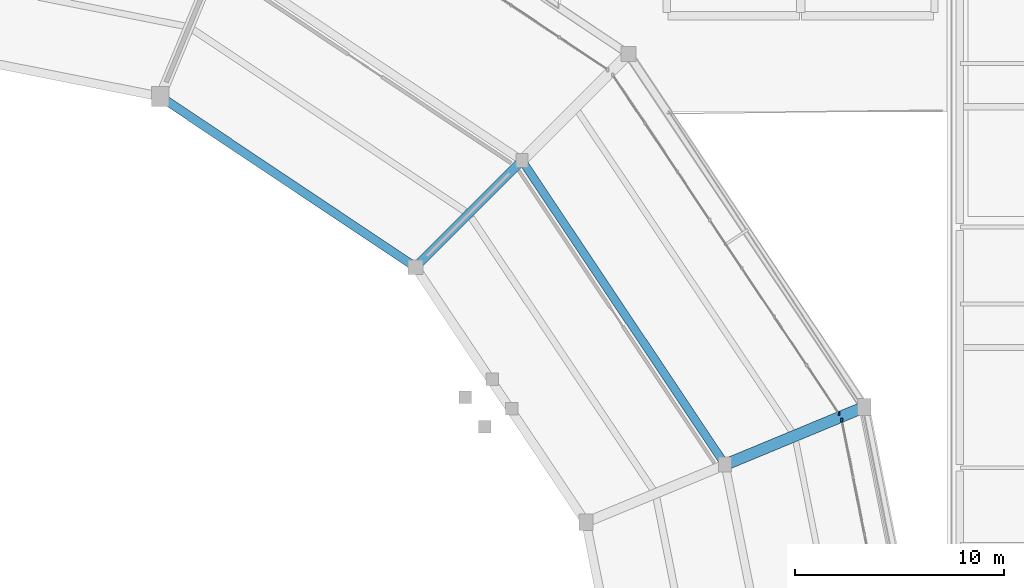
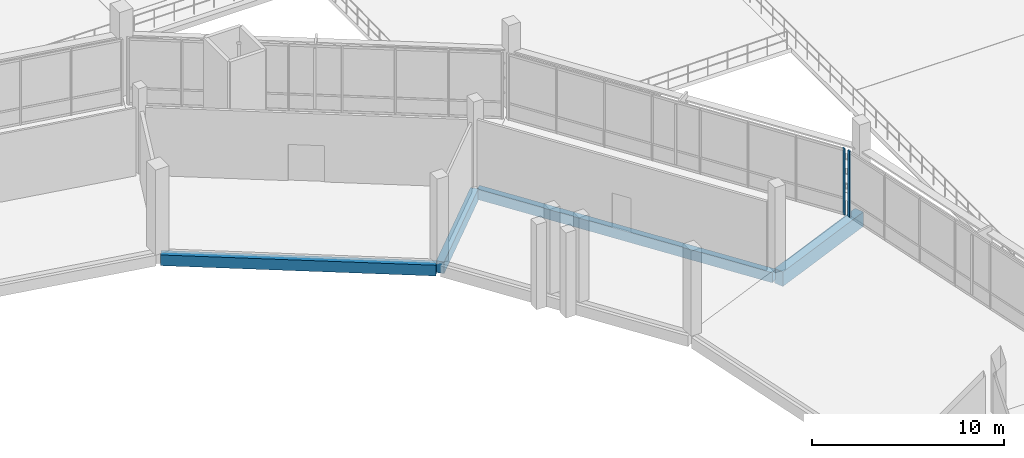
# One storey, part 42 of 111: 4 beams, 2 members, 2 elements without a shape of their own.
"""IFC4 building model written with IfcOpenShell, lengths in metres."""

import ifcopenshell
import ifcopenshell.guid

model = None  # the IFC model being written
_history = None  # IfcOwnerHistory: only IFC2X3 demands one
_inside = {}  # id of a spatial element -> (the spatial element, [elements in it])
_under = {}  # id of a project, library or spatial element -> (it, [spatial elements below it])
_declared = {}  # id of a project -> (the project, [libraries it declares])
_typed = {}  # id of a type object -> (the type object, [elements of that type])
_made_of = {}  # id of a material, layer set ... -> (it, [elements and type objects made of it])


def new_model(schema):
    """Start an empty IFC model of exactly this schema.

    Asked for "IFC4X3", IfcOpenShell would pick the latest addendum, in which some entities
    have other attributes; the version numbers below select the first issue.
    IFC2X3 requires an IfcOwnerHistory on every rooted entity: one is made here for all.
    """
    global model, _history
    if schema == "IFC4X3":
        model = ifcopenshell.file(schema_version=(4, 3, 0, 0))
    else:
        model = ifcopenshell.file(schema=schema)
    _inside.clear()
    _under.clear()
    _declared.clear()
    _typed.clear()
    _made_of.clear()
    _history = None
    if model.schema == "IFC2X3":
        org = make("IfcOrganization", Name="unknown")
        user = make(
            "IfcPersonAndOrganization",
            ThePerson=make("IfcPerson", FamilyName="unknown"),
            TheOrganization=org,
        )
        app = make(
            "IfcApplication",
            ApplicationDeveloper=org,
            Version="unknown",
            ApplicationFullName="unknown",
            ApplicationIdentifier="unknown",
        )
        _history = make(
            "IfcOwnerHistory",
            OwningUser=user,
            OwningApplication=app,
            ChangeAction="ADDED",
            CreationDate=0,
        )
    return model


def make(cls, **values):
    """One entity of the class cls with the attributes given. An attribute that is None is left unset."""
    return model.create_entity(
        cls, **{name: value for name, value in values.items() if value is not None}
    )


def rooted(cls, **values):
    """An entity with a GlobalId (a new one), such as an element, a storey or a relation."""
    return make(cls, GlobalId=ifcopenshell.guid.new(), OwnerHistory=_history, **values)


def si_unit(unit_type, name, prefix=None):
    """IfcSIUnit, for example si_unit("LENGTHUNIT", "METRE", prefix="MILLI")."""
    return make("IfcSIUnit", UnitType=unit_type, Prefix=prefix, Name=name)


def assignment(units):
    """IfcUnitAssignment: the units of a project."""
    return None if units is None else make("IfcUnitAssignment", Units=units)


def point(xyz):
    """IfcCartesianPoint."""
    return None if xyz is None else make("IfcCartesianPoint", Coordinates=xyz)


def direction(xyz):
    """IfcDirection."""
    return None if xyz is None else make("IfcDirection", DirectionRatios=xyz)


def frame(location, z_axis=None, x_axis=None):
    """IfcAxis2Placement3D, a coordinate frame: its origin and axes. An axis left out is left unset."""
    return make(
        "IfcAxis2Placement3D",
        Location=point(location),
        Axis=direction(z_axis),
        RefDirection=direction(x_axis),
    )


def frame_2d(location, x_axis=None):
    """IfcAxis2Placement2D, a coordinate frame in the plane: its origin and x axis."""
    return make(
        "IfcAxis2Placement2D", Location=point(location), RefDirection=direction(x_axis)
    )


def origin():
    """The frame at (0, 0, 0) with its axes left unset."""
    return frame((0.0, 0.0, 0.0))


def origin_2d():
    """The frame at (0, 0) in the plane with its x axis left unset."""
    return frame_2d((0.0, 0.0))


def place(relative_to, where):
    """IfcLocalPlacement: puts the frame where relative to a parent placement (None: the world)."""
    return make(
        "IfcLocalPlacement", PlacementRelTo=relative_to, RelativePlacement=where
    )


def context(
    kind, dimensions, precision=None, world=None, true_north=None, identifier=None
):
    """IfcGeometricRepresentationContext, for example the 3D "Model" context."""
    return make(
        "IfcGeometricRepresentationContext",
        ContextIdentifier=identifier,
        ContextType=kind,
        CoordinateSpaceDimension=dimensions,
        Precision=precision,
        WorldCoordinateSystem=world,
        TrueNorth=true_north,
    )


def subcontext(parent, identifier, kind, view, scale=None):
    """IfcGeometricRepresentationSubContext, for example "Body" below "Model"."""
    return make(
        "IfcGeometricRepresentationSubContext",
        ContextIdentifier=identifier,
        ContextType=kind,
        ParentContext=parent,
        TargetScale=scale,
        TargetView=view,
    )


def project(units=None, contexts=None):
    """IfcProject with its units and contexts."""
    return rooted(
        "IfcProject",
        Name="project",
        RepresentationContexts=contexts,
        UnitsInContext=assignment(units),
    )


def spatial(cls, under=None, at=None, **own):
    """A site, building, storey or space (cls), placed at a placement, below another one or the project."""
    s = rooted(cls, ObjectPlacement=at, **own)
    if under is not None:
        _under.setdefault(under.id(), (under, []))[1].append(s)
    return s


def profile(cls, at=None, kind="AREA", **sizes):
    """A parametric profile (cls). Its sizes go by their IFC names, for example OverallWidth=200.0."""
    return make(cls, ProfileType=kind, Position=at, **sizes)


def rectangle(**sizes):
    """IfcRectangleProfileDef."""
    return profile("IfcRectangleProfileDef", **sizes)


def extrude(swept, where, along, depth):
    """IfcExtrudedAreaSolid: the profile swept, set in the frame where, extruded along a direction by depth."""
    return make(
        "IfcExtrudedAreaSolid",
        SweptArea=swept,
        Position=where,
        ExtrudedDirection=direction(along),
        Depth=depth,
    )


def shape(context_of_items, identifier, shape_type, items):
    """IfcShapeRepresentation: the items that make up one representation, for example the "Body"."""
    return make(
        "IfcShapeRepresentation",
        ContextOfItems=context_of_items,
        RepresentationIdentifier=identifier,
        RepresentationType=shape_type,
        Items=items,
    )


def material(Name=None, Category=None):
    """IfcMaterial."""
    return make("IfcMaterial", Name=Name, Category=Category)


def material_profile(
    of_material, cross_section, Name=None, Category=None, Priority=None
):
    """IfcMaterialProfile: a cross section and its material."""
    return make(
        "IfcMaterialProfile",
        Name=Name,
        Material=of_material,
        Profile=cross_section,
        Priority=Priority,
        Category=Category,
    )


def profile_set(profiles, Name=None, composite=None):
    """IfcMaterialProfileSet."""
    return make(
        "IfcMaterialProfileSet",
        Name=Name,
        MaterialProfiles=profiles,
        CompositeProfile=composite,
    )


def made_of(thing, what):
    """Note that an element or type object is made of a material, layer set ...; save() writes the relation."""
    if what is not None:
        _made_of.setdefault(what.id(), (what, []))[1].append(thing)
    return thing


def type_object(cls, material=None, **own):
    """A type object (cls), such as IfcWallType, which elements share."""
    return made_of(rooted(cls, **own), material)


def element(
    cls,
    number,
    at=None,
    inside=None,
    cuts=None,
    type_object=None,
    material=None,
    context=None,
    identifier="Body",
    shape_type=None,
    held_by="IfcProductDefinitionShape",
    body=None,
    shapes=None,
    **own,
):
    """One element of the class cls, such as IfcWall. Its Tag is "e" and its number.

    at: its placement. inside: the storey or other place that contains it. cuts: it is an
    opening in that element (IfcRelVoidsElement). A single representation is given by context,
    identifier, shape_type and body (its items); several are given by shapes. held_by: the class
    of the entity that holds the representations. save() writes the other relations.
    """
    e = rooted(cls, Tag="e%d" % number, ObjectPlacement=at, **own)
    if body is not None:
        shapes = [shape(context, identifier, shape_type, body)]
    if shapes is not None:
        e.Representation = make(held_by, Representations=shapes)
    if inside is not None:
        _inside.setdefault(inside.id(), (inside, []))[1].append(e)
    if cuts is not None:
        rooted(
            "IfcRelVoidsElement", RelatingBuildingElement=cuts, RelatedOpeningElement=e
        )
    if type_object is not None:
        _typed.setdefault(type_object.id(), (type_object, []))[1].append(e)
    return made_of(e, material)


def aggregate(whole, parts):
    """IfcRelAggregates: a whole, such as a stair, and the parts it consists of."""
    return rooted("IfcRelAggregates", RelatingObject=whole, RelatedObjects=parts)


def save(model, path):
    """Write the relations noted so far, then the file.

    IfcRelAggregates (storeys below a building ...), IfcRelContainedInSpatialStructure (elements
    in a storey), IfcRelDefinesByType, IfcRelAssociatesMaterial and IfcRelDeclares: one each for
    every whole, place, type object, material and project.
    """
    for whole, parts in _under.values():
        aggregate(whole, parts)
    for where, things in _inside.values():
        rooted(
            "IfcRelContainedInSpatialStructure",
            RelatedElements=things,
            RelatingStructure=where,
        )
    for kind, things in _typed.values():
        rooted("IfcRelDefinesByType", RelatedObjects=things, RelatingType=kind)
    for what, things in _made_of.values():
        rooted("IfcRelAssociatesMaterial", RelatedObjects=things, RelatingMaterial=what)
    for by, libraries in _declared.values():
        rooted("IfcRelDeclares", RelatingContext=by, RelatedDefinitions=libraries)
    model.write(path)


model = new_model("IFC4")

# Units and contexts
model_context = context("Model", 3, precision=1e-05, world=origin(), true_north=direction((0.0, 1.0)))
body_context = subcontext(model_context, "Body", "Model", "MODEL_VIEW")
ifc_project = project(units=[si_unit("LENGTHUNIT", "METRE"), si_unit("AREAUNIT", "SQUARE_METRE"), si_unit("VOLUMEUNIT", "CUBIC_METRE"), si_unit("PLANEANGLEUNIT", "RADIAN"), si_unit("MASSUNIT", "GRAM", prefix="KILO")], contexts=[model_context])

# Site, building, storey
site_placement = place(None, origin())
site = spatial("IfcSite", under=ifc_project, at=site_placement, CompositionType="ELEMENT")
building_placement = place(site_placement, origin())
building = spatial("IfcBuilding", under=site, at=building_placement, Name="Candeia Ridge Stadium", CompositionType="ELEMENT")
storey_placement = place(building_placement, frame((0.0, 0.0, 16.199951171875)))
storey = spatial("IfcBuildingStorey", under=building, at=storey_placement, Name="L03", CompositionType="ELEMENT", Elevation=16.199951171875)

# Curtain wall, member
ifc_material_1 = material(Name="Aluminium Anodized Warm Bronze", Category="aluminium")
curtain_wall_type = type_object("IfcCurtainWallType", Name="Concourse Recessed Unitised Curtain Wall", PredefinedType="NOTDEFINED", material=ifc_material_1)
curtain_wall_1_placement = place(storey_placement, origin())
curtain_wall_1 = element("IfcCurtainWall", 1, at=curtain_wall_1_placement, inside=storey, type_object=curtain_wall_type, Name="Unitised curtain wall CW-BWL-L03-32", PredefinedType="NOTDEFINED")
ifc_material_profile_1 = material_profile(ifc_material_1, rectangle(XDim=0.090087890625, YDim=0.179931640625, at=origin_2d()), Name="CWM-90x180", Category="aluminium")
ifc_profile_set_1 = profile_set([ifc_material_profile_1], Name="Aluminium Anodized Warm Bronze")
member_type = type_object("IfcMemberType", Name="Curtain Wall Primary Mullion 90x180", PredefinedType="MULLION", material=ifc_profile_set_1)
member_1_placement = place(storey_placement, frame((187.96826171875, 114.263916015625, 0.0), z_axis=(0.0, 0.0, 1.0), x_axis=(1.0, 0.0, 0.0)))
member_1 = element("IfcMember", 2, at=member_1_placement, type_object=member_type, Name="Curtain wall mullion CW-BWL-L03-32-M7", PredefinedType="MULLION", context=body_context, shape_type="SweptSolid", body=[
    extrude(rectangle(XDim=0.090087890625, YDim=0.179931640625, at=origin_2d()), origin(), (0.0, 0.0, 1.0), 4.205078125),
])
aggregate(curtain_wall_1, [member_1])

curtain_wall_2_placement = place(storey_placement, origin())
curtain_wall_2 = element("IfcCurtainWall", 3, at=curtain_wall_2_placement, inside=storey, type_object=curtain_wall_type, Name="Unitised curtain wall CW-BWL-L03-33", PredefinedType="NOTDEFINED")
member_2_placement = place(storey_placement, frame((187.8330078125, 114.590087890625, 0.0), z_axis=(0.0, 0.0, 1.0), x_axis=(1.0, 0.0, 0.0)))
member_2 = element("IfcMember", 4, at=member_2_placement, type_object=member_type, Name="Curtain wall mullion CW-BWL-L03-33-M0", PredefinedType="MULLION", context=body_context, shape_type="SweptSolid", body=[
    extrude(rectangle(XDim=0.090087890625, YDim=0.179931640625, at=origin_2d()), origin(), (0.0, 0.0, 1.0), 4.205078125),
])
aggregate(curtain_wall_2, [member_2])

# Beams
ifc_material_2 = material(Name="Concrete C40/50", Category="concrete")
ifc_material_profile_2 = material_profile(ifc_material_2, rectangle(XDim=0.389892578125, YDim=0.639892578125, at=origin_2d()), Name="RC390x640", Category="concrete")
ifc_profile_set_2 = profile_set([ifc_material_profile_2], Name="Concrete C40/50")
beam_type_1 = type_object("IfcBeamType", Name="Frame Girder RC390x640", PredefinedType="BEAM", material=ifc_profile_set_2)
beam_1_placement = place(storey_placement, frame((182.301025390625, 112.27734375, -0.570068359375), z_axis=(-0.555573223542, 0.831467614091, 0.0), x_axis=(-0.831467614091, -0.555573223542, 0.0)))
element("IfcBeam", 5, at=beam_1_placement, inside=storey, type_object=beam_type_1, Name="Concourse spine girder BM-L03-0708", PredefinedType="BEAM", context=body_context, shape_type="SweptSolid", body=[
    extrude(rectangle(XDim=0.389892578125, YDim=0.639892578125, at=origin_2d()), origin(), (0.0, 0.0, 1.0), 17.16015625),
])
ifc_material_profile_3 = material_profile(ifc_material_2, rectangle(XDim=0.419921875, YDim=0.679931640625, at=origin_2d()), Name="RC420x680", Category="concrete")
ifc_profile_set_3 = profile_set([ifc_material_profile_3], Name="Concrete C40/50")
beam_type_2 = type_object("IfcBeamType", Name="Frame Girder RC420x680", PredefinedType="BEAM", material=ifc_profile_set_3)
beam_2_placement = place(storey_placement, frame((167.4541015625, 121.676025390625, -0.58984375), z_axis=(-0.831466176057, 0.55557537569, 0.0), x_axis=(-0.55557537569, -0.831466176057, 0.0)))
element("IfcBeam", 6, at=beam_2_placement, inside=storey, type_object=beam_type_2, Name="Bowl inner ring girder BM-L03-0712", PredefinedType="BEAM", context=body_context, shape_type="SweptSolid", body=[
    extrude(rectangle(XDim=0.419921875, YDim=0.679931640625, at=origin_2d()), origin(), (0.0, 0.0, 1.0), 14.350830078125),
])
ifc_material_profile_4 = material_profile(ifc_material_2, rectangle(XDim=0.429931640625, YDim=0.739990234375, at=origin_2d()), Name="RC430x740", Category="concrete")
ifc_profile_set_4 = profile_set([ifc_material_profile_4], Name="Concrete C40/50")
beam_type_3 = type_object("IfcBeamType", Name="Frame Girder RC430x740", PredefinedType="BEAM", material=ifc_profile_set_4)
beam_3_placement = place(storey_placement, frame((167.700439453125, 121.700439453125, -0.619873046875), z_axis=(0.707106781187, 0.707106781187, 0.0), x_axis=(-0.707106781187, 0.707106781187, 0.0)))
element("IfcBeam", 7, at=beam_3_placement, inside=storey, type_object=beam_type_3, Name="Bowl radial girder BM-L03-0549", PredefinedType="BEAM", context=body_context, shape_type="SweptSolid", body=[
    extrude(rectangle(XDim=0.429931640625, YDim=0.739990234375, at=origin_2d()), origin(), (0.0, 0.0, 1.0), 6.8798828125),
])
ifc_material_3 = material(Name="Concrete C45/55", Category="concrete")
ifc_material_profile_5 = material_profile(ifc_material_3, rectangle(XDim=0.550048828125, YDim=0.919921875, at=origin_2d()), Name="RC550x920", Category="concrete")
ifc_profile_set_5 = profile_set([ifc_material_profile_5], Name="Concrete C45/55")
beam_type_4 = type_object("IfcBeamType", Name="Frame Girder RC550x920", PredefinedType="BEAM", material=ifc_profile_set_5)
beam_4_placement = place(storey_placement, frame((182.53759765625, 112.20556640625, -0.7099609375), z_axis=(0.923880161031, 0.382681914982, 0.0), x_axis=(-0.382681914982, 0.923880161031, 0.0)))
element("IfcBeam", 8, at=beam_4_placement, inside=storey, type_object=beam_type_4, Name="Bowl radial girder BM-L03-0548", PredefinedType="BEAM", context=body_context, shape_type="SweptSolid", body=[
    extrude(rectangle(XDim=0.550048828125, YDim=0.919921875, at=origin_2d()), origin(), (0.0, 0.0, 1.0), 6.8798828125),
])

save(model, "model.ifc")
